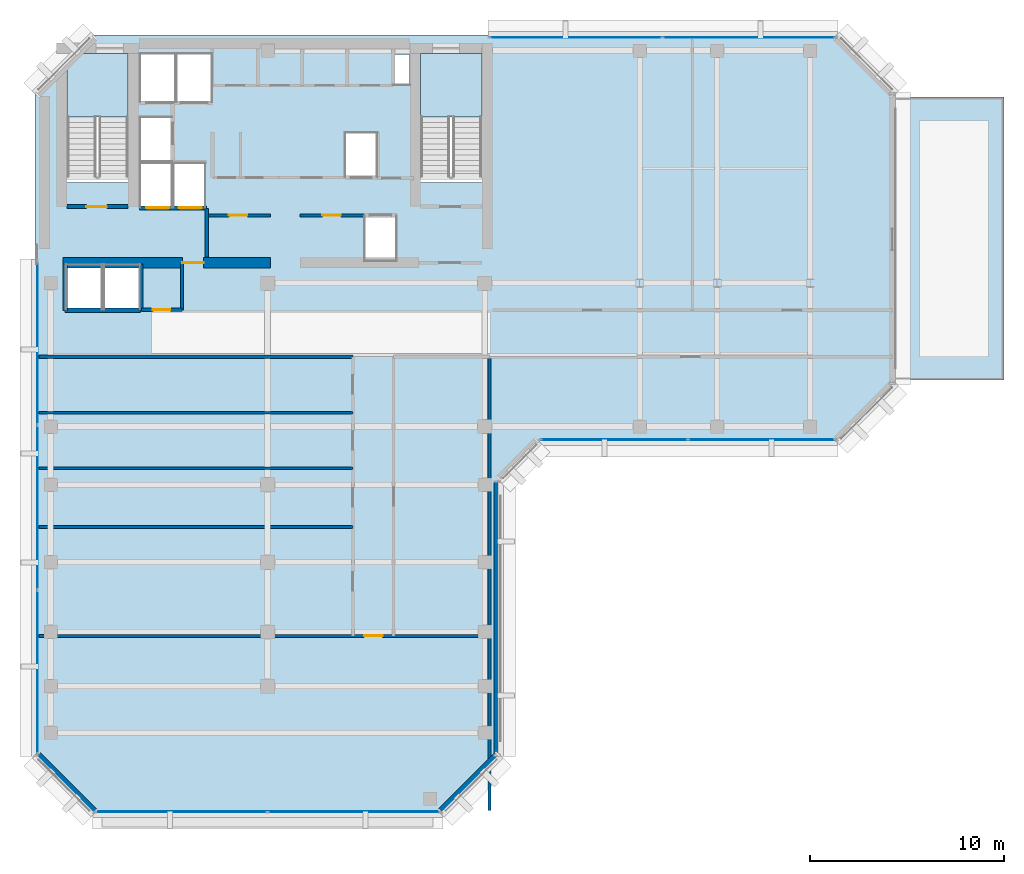
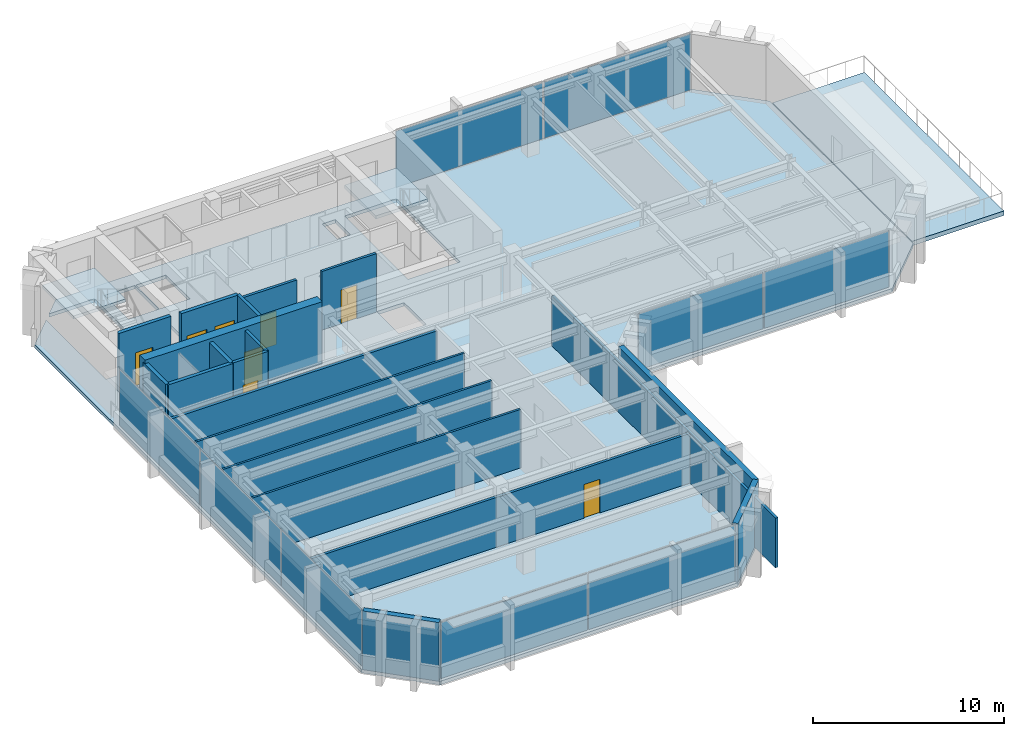
# One storey, part 5 of 11: 20 walls, 9 plates, 8 doors, 4 slabs, 8 openings, 6 elements without a shape of their own.
"""IFC4 building model written with IfcOpenShell, lengths in metres."""

from ifc_helpers import new_model, si_unit, direction, frame, frame_2d, origin, origin_2d, place, context, subcontext, project, spatial, polyline, rectangle, outline, extrude, material, layer, layer_set, type_object, element, fill, aggregate, save


model = new_model("IFC4")

# Units and contexts
model_context = context("Model", 3, precision=1e-05, world=origin(), true_north=direction((0.0, 1.0)))
body_context = subcontext(model_context, "Body", "Model", "MODEL_VIEW")
ifc_project = project(units=[si_unit("LENGTHUNIT", "METRE"), si_unit("AREAUNIT", "SQUARE_METRE"), si_unit("VOLUMEUNIT", "CUBIC_METRE"), si_unit("PLANEANGLEUNIT", "RADIAN"), si_unit("MASSUNIT", "GRAM", prefix="KILO")], contexts=[model_context])

# Site, building, storey
site_placement = place(None, origin())
site = spatial("IfcSite", under=ifc_project, at=site_placement, CompositionType="ELEMENT")
building_placement = place(site_placement, origin())
building = spatial("IfcBuilding", under=site, at=building_placement, Name="Kefirva Bronze Tower", CompositionType="ELEMENT")
storey_placement = place(building_placement, frame((0.0, 0.0, 272.25)))
storey = spatial("IfcBuildingStorey", under=building, at=storey_placement, Name="L66", CompositionType="ELEMENT", Elevation=272.25)

# Slab
ifc_material_1 = material(Name="Concrete C40/50", Category="concrete")
ifc_layer_1 = layer(ifc_material_1, 0.280029296875, Name="Concrete C40/50")
ifc_layer_set_1 = layer_set([ifc_layer_1], Name="Concrete C40/50")
slab_type_1 = type_object("IfcSlabType", Name="RC Setback Sky-Garden Terrace Slab 280mm", PredefinedType="ROOF", material=ifc_layer_set_1)
slab_1_placement = place(storey_placement, frame((0.0, 0.0, -0.280029296875)))
element("IfcSlab", 1, at=slab_1_placement, inside=storey, type_object=slab_type_1, Name="L66 Planted Sky-Garden Terrace Slab", PredefinedType="ROOF", context=body_context, shape_type="SweptSolid", body=[
    extrude(outline(polyline([(44.449951171875, 28.199951171875), (50.0, 28.199951171875), (50.0, 42.800048828125), (44.449951171875, 42.800048828125), (44.449951171875, 28.199951171875)])), origin(), (0.0, 0.0, 1.0), 0.280029296875),
])

# Stair, slab
stair_type = type_object("IfcStairType", Name="RC Dogleg Protected Stair 24R", PredefinedType="HALF_TURN_STAIR", material=ifc_material_1)
stair_1_placement = place(storey_placement, origin())
stair_1 = element("IfcStair", 2, at=stair_1_placement, inside=storey, type_object=stair_type, Name="L66 Protected Exit Stair 1", PredefinedType="HALF_TURN_STAIR")
ifc_layer_2 = layer(ifc_material_1, 0.199951171875, Name="Concrete C40/50")
ifc_layer_set_2 = layer_set([ifc_layer_2], Name="Concrete C40/50")
slab_type_2 = type_object("IfcSlabType", Name="RC Stair Landing Slab 200mm", PredefinedType="LANDING", material=ifc_layer_set_2)
slab_2_placement = place(storey_placement, frame((0.0, 0.0, 1.780029296875)))
slab_2 = element("IfcSlab", 3, at=slab_2_placement, type_object=slab_type_2, Name="ST-1 landing 1", PredefinedType="LANDING", context=body_context, shape_type="SweptSolid", body=[
    extrude(outline(polyline([(4.800048828125, 41.780029296875), (4.800048828125, 45.050048828125), (1.64990234375, 45.050048828125), (1.64990234375, 41.780029296875), (4.800048828125, 41.780029296875)])), origin(), (0.0, 0.0, 1.0), 0.199951171875),
])
aggregate(stair_1, [slab_2])

stair_2_placement = place(storey_placement, origin())
stair_2 = element("IfcStair", 4, at=stair_2_placement, inside=storey, type_object=stair_type, Name="L66 Protected Exit Stair 2", PredefinedType="HALF_TURN_STAIR")
slab_3_placement = place(storey_placement, frame((0.0, 0.0, 1.780029296875)))
slab_3 = element("IfcSlab", 5, at=slab_3_placement, type_object=slab_type_2, Name="ST-2 landing 1", PredefinedType="LANDING", context=body_context, shape_type="SweptSolid", body=[
    extrude(outline(polyline([(23.050048828125, 41.780029296875), (23.050048828125, 45.050048828125), (19.89990234375, 45.050048828125), (19.89990234375, 41.780029296875), (23.050048828125, 41.780029296875)])), origin(), (0.0, 0.0, 1.0), 0.199951171875),
])
aggregate(stair_2, [slab_3])

# Slab
ifc_layer_3 = layer(ifc_material_1, 0.219970703125, Name="Concrete C40/50")
ifc_layer_set_3 = layer_set([ifc_layer_3], Name="Concrete C40/50")
slab_type_3 = type_object("IfcSlabType", Name="RC Upper Floor Slab 220mm", PredefinedType="FLOOR", material=ifc_layer_set_3)
slab_4_placement = place(storey_placement, frame((0.0, 0.0, -0.219970703125)))
element("IfcSlab", 6, at=slab_4_placement, inside=storey, type_object=slab_type_3, Name="L66 Structural Floor Slab", PredefinedType="FLOOR", context=body_context, shape_type="SweptSolid", body=[
    extrude(outline(polyline([(0.0, 8.800048828125), (0.0, 43.0), (1.64990234375, 44.64990234375), (1.64990234375, 38.39990234375), (4.800048828125, 38.39990234375), (4.800048828125, 45.050048828125), (2.050048828125, 45.050048828125), (3.0, 46.0), (41.39990234375, 46.0), (44.39990234375, 43.0), (44.39990234375, 28.0), (41.39990234375, 25.0), (26.0, 25.0), (24.0, 23.0), (24.0, 8.800048828125), (21.0, 5.800048828125), (3.0, 5.800048828125), (0.0, 8.800048828125)]), holes=[polyline([(23.050048828125, 45.050048828125), (19.89990234375, 45.050048828125), (19.89990234375, 38.39990234375), (23.050048828125, 38.39990234375), (23.050048828125, 45.050048828125)]), polyline([(19.320068359375, 43.419921875), (19.320068359375, 45.0), (18.52001953125, 45.0), (18.52001953125, 43.419921875), (19.320068359375, 43.419921875)]), polyline([(18.64990234375, 36.64990234375), (17.0, 36.64990234375), (17.0, 34.35009765625), (18.64990234375, 34.35009765625), (18.64990234375, 36.64990234375)]), polyline([(17.64990234375, 38.679931640625), (17.64990234375, 40.97998046875), (16.0, 40.97998046875), (16.0, 38.679931640625), (17.64990234375, 38.679931640625)]), polyline([(9.1201171875, 42.550048828125), (9.1201171875, 45.050048828125), (7.300048828125, 45.050048828125), (7.300048828125, 42.550048828125), (9.1201171875, 42.550048828125)]), polyline([(8.780029296875, 37.10009765625), (8.780029296875, 39.39990234375), (7.139892578125, 39.39990234375), (7.139892578125, 37.10009765625), (8.780029296875, 37.10009765625)]), polyline([(7.239990234375, 42.550048828125), (7.239990234375, 45.050048828125), (5.419921875, 45.050048828125), (5.419921875, 42.550048828125), (7.239990234375, 42.550048828125)]), polyline([(7.06005859375, 37.10009765625), (7.06005859375, 39.39990234375), (5.419921875, 39.39990234375), (5.419921875, 37.10009765625), (7.06005859375, 37.10009765625)]), polyline([(7.06005859375, 41.780029296875), (5.419921875, 41.780029296875), (5.419921875, 39.47998046875), (7.06005859375, 39.47998046875), (7.06005859375, 41.780029296875)]), polyline([(5.39990234375, 31.85009765625), (5.39990234375, 34.14990234375), (3.550048828125, 34.14990234375), (3.550048828125, 31.85009765625), (5.39990234375, 31.85009765625)]), polyline([(3.449951171875, 34.14990234375), (1.60009765625, 34.14990234375), (1.60009765625, 31.85009765625), (3.449951171875, 31.85009765625), (3.449951171875, 34.14990234375)])]), origin(), (0.0, 0.0, 1.0), 0.219970703125),
])

# Curtain wall, plates
ifc_material_2 = material(Name="Bronze anodised aluminium", Category="aluminium")
ifc_layer_4 = layer(ifc_material_2, 0.179931640625, Name="Bronze anodised aluminium")
ifc_layer_set_4 = layer_set([ifc_layer_4], Name="Bronze anodised aluminium")
curtain_wall_type = type_object("IfcCurtainWallType", Name="Unitised Bronze Ribbon Curtain Wall Zone 4", PredefinedType="USERDEFINED", material=ifc_layer_set_4)
curtain_wall_1_placement = place(storey_placement, origin())
curtain_wall_1 = element("IfcCurtainWall", 7, at=curtain_wall_1_placement, inside=storey, type_object=curtain_wall_type, Name="L66 Curtain Wall 1", ObjectType="UNITISED CURTAIN WALL", PredefinedType="USERDEFINED")
ifc_material_3 = material(Name="Laminated low-E double glazing", Category="glass")
ifc_layer_5 = layer(ifc_material_3, 0.031982421875, Name="Laminated low-E double glazing")
ifc_layer_set_5 = layer_set([ifc_layer_5], Name="Laminated low-E double glazing")
plate_type = type_object("IfcPlateType", Name="Solar-Control Low-E Vision Panel 32mm", PredefinedType="CURTAIN_PANEL", material=ifc_layer_set_5)
plate_1_placement = place(storey_placement, frame((7.546142578125, 5.919921875, 0.0751953125), z_axis=(0.0, 0.0, 1.0), x_axis=(1.0, 0.0, 0.0)))
plate_1 = element("IfcPlate", 8, at=plate_1_placement, type_object=plate_type, Name="CW-04 panel 1.1", PredefinedType="CURTAIN_PANEL", context=body_context, shape_type="SweptSolid", body=[
    extrude(rectangle(XDim=8.83251953125, YDim=0.031982421875, at=origin_2d()), origin(), (0.0, 0.0, 1.0), 3.590087890625),
])
plate_2_placement = place(storey_placement, frame((16.453857421875, 5.919921875, 0.0751953125), z_axis=(0.0, 0.0, 1.0), x_axis=(1.0, 0.0, 0.0)))
plate_2 = element("IfcPlate", 9, at=plate_2_placement, type_object=plate_type, Name="CW-04 panel 2.1", PredefinedType="CURTAIN_PANEL", context=body_context, shape_type="SweptSolid", body=[
    extrude(rectangle(XDim=8.83251953125, YDim=0.031982421875, at=origin_2d()), origin(), (0.0, 0.0, 1.0), 3.590087890625),
])
aggregate(curtain_wall_1, [plate_1, plate_2])

curtain_wall_2_placement = place(storey_placement, origin())
curtain_wall_2 = element("IfcCurtainWall", 10, at=curtain_wall_2_placement, inside=storey, type_object=curtain_wall_type, Name="L66 Curtain Wall 2", ObjectType="UNITISED CURTAIN WALL", PredefinedType="USERDEFINED")
plate_3_placement = place(storey_placement, frame((29.896240234375, 25.1201171875, 0.0751953125), z_axis=(0.0, 0.0, 1.0), x_axis=(1.0, 0.0, 0.0)))
plate_3 = element("IfcPlate", 11, at=plate_3_placement, type_object=plate_type, Name="CW-04 panel 1.1", PredefinedType="CURTAIN_PANEL", context=body_context, shape_type="SweptSolid", body=[
    extrude(rectangle(XDim=7.532470703125, YDim=0.031982421875, at=origin_2d()), origin(), (0.0, 0.0, 1.0), 3.590087890625),
])
plate_4_placement = place(storey_placement, frame((37.503662109375, 25.1201171875, 0.0751953125), z_axis=(0.0, 0.0, 1.0), x_axis=(1.0, 0.0, 0.0)))
plate_4 = element("IfcPlate", 12, at=plate_4_placement, type_object=plate_type, Name="CW-04 panel 2.1", PredefinedType="CURTAIN_PANEL", context=body_context, shape_type="SweptSolid", body=[
    extrude(rectangle(XDim=7.532470703125, YDim=0.031982421875, at=origin_2d()), origin(), (0.0, 0.0, 1.0), 3.590087890625),
])
aggregate(curtain_wall_2, [plate_3, plate_4])

curtain_wall_3_placement = place(storey_placement, origin())
curtain_wall_3 = element("IfcCurtainWall", 13, at=curtain_wall_3_placement, inside=storey, type_object=curtain_wall_type, Name="L66 Curtain Wall 3", ObjectType="UNITISED CURTAIN WALL", PredefinedType="USERDEFINED")
plate_5_placement = place(storey_placement, frame((36.84130859375, 45.8798828125, 0.0751953125), z_axis=(0.0, 0.0, 1.0), x_axis=(-1.0, 0.0, 0.0)))
plate_5 = element("IfcPlate", 14, at=plate_5_placement, type_object=plate_type, Name="CW-04 panel 1.1", PredefinedType="CURTAIN_PANEL", context=body_context, shape_type="SweptSolid", body=[
    extrude(rectangle(XDim=8.857421875, YDim=0.031982421875, at=origin_2d()), origin(), (0.0, 0.0, 1.0), 3.590087890625),
])
plate_6_placement = place(storey_placement, frame((27.90869140625, 45.8798828125, 0.0751953125), z_axis=(0.0, 0.0, 1.0), x_axis=(-1.0, 0.0, 0.0)))
plate_6 = element("IfcPlate", 15, at=plate_6_placement, type_object=plate_type, Name="CW-04 panel 2.1", PredefinedType="CURTAIN_PANEL", context=body_context, shape_type="SweptSolid", body=[
    extrude(rectangle(XDim=8.857421875, YDim=0.031982421875, at=origin_2d()), origin(), (0.0, 0.0, 1.0), 3.590087890625),
])
aggregate(curtain_wall_3, [plate_5, plate_6])

curtain_wall_4_placement = place(storey_placement, origin())
curtain_wall_4 = element("IfcCurtainWall", 16, at=curtain_wall_4_placement, inside=storey, type_object=curtain_wall_type, Name="L66 Curtain Wall 4", ObjectType="UNITISED CURTAIN WALL", PredefinedType="USERDEFINED")
plate_7_placement = place(storey_placement, frame((0.1201171875, 30.11962890625, 0.0751953125), z_axis=(0.0, 0.0, 1.0), x_axis=(0.0, -1.0, 0.0)))
plate_7 = element("IfcPlate", 17, at=plate_7_placement, type_object=plate_type, Name="CW-04 panel 1.1", PredefinedType="CURTAIN_PANEL", context=body_context, shape_type="SweptSolid", body=[
    extrude(rectangle(XDim=8.40087890625, YDim=0.031982421875, at=origin_2d()), origin(), (0.0, 0.0, 1.0), 3.590087890625),
])
plate_8_placement = place(storey_placement, frame((0.1201171875, 21.625, 0.0751953125), z_axis=(0.0, 0.0, 1.0), x_axis=(0.0, -1.0, 0.0)))
plate_8 = element("IfcPlate", 18, at=plate_8_placement, type_object=plate_type, Name="CW-04 panel 2.1", PredefinedType="CURTAIN_PANEL", context=body_context, shape_type="SweptSolid", body=[
    extrude(rectangle(XDim=8.438232421875, YDim=0.031982421875, at=origin_2d()), origin(), (0.0, 0.0, 1.0), 3.590087890625),
])
plate_9_placement = place(storey_placement, frame((0.1201171875, 13.13037109375, 0.0751953125), z_axis=(0.0, 0.0, 1.0), x_axis=(0.0, -1.0, 0.0)))
plate_9 = element("IfcPlate", 19, at=plate_9_placement, type_object=plate_type, Name="CW-04 panel 3.1", PredefinedType="CURTAIN_PANEL", context=body_context, shape_type="SweptSolid", body=[
    extrude(rectangle(XDim=8.40087890625, YDim=0.031982421875, at=origin_2d()), origin(), (0.0, 0.0, 1.0), 3.590087890625),
])
aggregate(curtain_wall_4, [plate_7, plate_8, plate_9])

# Walls
ifc_material_4 = material(Name="Gypsum acoustic partition")
ifc_layer_6 = layer(ifc_material_4, 0.1298828125, Name="Gypsum acoustic partition")
ifc_layer_set_6 = layer_set([ifc_layer_6], Name="Gypsum acoustic partition")
wall_type_1 = type_object("IfcWallType", Name="Acoustic Office Partition 130mm", PredefinedType="PARTITIONING", material=ifc_layer_set_6)
for number, where, z_axis, x_axis, name in (
    (20, (0.18994140625, 20.615966796875, 0.0), (0.0, 0.0, 1.0), (1.0, 0.0, 0.0), "L66 Partition W-L66-SWD1"),
    (21, (0.18994140625, 23.639892578125, 0.0), (0.0, 0.0, 1.0), (1.0, 0.0, 0.0), "L66 Partition W-L66-SWD2"),
    (22, (0.18994140625, 26.52001953125, 0.0), (0.0, 0.0, 1.0), (1.0, 0.0, 0.0), "L66 Partition W-L66-SWD3"),
):
    element("IfcWall", number, at=place(storey_placement, frame(where, z_axis=z_axis, x_axis=x_axis)), inside=storey, type_object=wall_type_1, Name=name, PredefinedType="PARTITIONING", context=body_context, shape_type="SweptSolid", body=[
        extrude(rectangle(XDim=16.2099609375, YDim=0.1298828125, at=frame_2d((8.10498046875, 0.0))), origin(), (0.0, 0.0, 1.0), 3.739990234375),
    ])

# Wall, opening, door
ifc_layer_7 = layer(ifc_material_4, 0.14990234375, Name="Gypsum acoustic partition")
ifc_layer_set_7 = layer_set([ifc_layer_7], Name="Gypsum acoustic partition")
wall_type_2 = type_object("IfcWallType", Name="Executive Suite Partition 150mm", PredefinedType="PARTITIONING", material=ifc_layer_set_7)
wall_1_placement = place(storey_placement, frame((13.679931640625, 36.699951171875, 0.0), z_axis=(0.0, 0.0, 1.0), x_axis=(1.0, 0.0, 0.0)))
wall_1 = element("IfcWall", 23, at=wall_1_placement, inside=storey, type_object=wall_type_2, Name="L66 Partition W-L66-RECMP1", PredefinedType="PARTITIONING", context=body_context, shape_type="SweptSolid", body=[
    extrude(rectangle(XDim=3.280029296875, YDim=0.14990234375, at=frame_2d((1.64013671875, 0.0))), origin(), (0.0, 0.0, 1.0), 3.739990234375),
])
opening_1_placement = place(wall_1_placement, frame((1.14990234375, 0.0, 0.0)))
opening_1 = element("IfcOpeningElement", 24, at=opening_1_placement, cuts=wall_1, Name="Opening L66-D-RECMP1", PredefinedType="OPENING", context=body_context, shape_type="SweptSolid", body=[
    extrude(rectangle(XDim=0.949951171875, YDim=2.14990234375, at=frame_2d((0.47509765625, 1.074951171875))), frame((0.0, 0.0849609375, 0.0), z_axis=(0.0, -1.0, 0.0), x_axis=(1.0, 0.0, 0.0)), (0.0, 0.0, 1.0), 0.169921875),
])
ifc_material_5 = material(Name="Acoustic hardwood oak", Category="wood")
door_type_1 = type_object("IfcDoorType", Name="Office & Meeting Room Door 950x2150", OperationType="NOTDEFINED", PredefinedType="DOOR", material=ifc_material_5)
door_1_placement = place(opening_1_placement, origin())
door_1 = element("IfcDoor", 25, at=door_1_placement, inside=storey, type_object=door_type_1, Name="Door L66-D-RECMP1", OperationType="SINGLE_SWING_LEFT", OverallHeight=2.14990234375, OverallWidth=0.949951171875, PredefinedType="DOOR", context=body_context, shape_type="SweptSolid", body=[
    extrude(rectangle(XDim=0.949951171875, YDim=2.14990234375, at=frame_2d((0.47509765625, 1.074951171875))), frame((0.0, 0.02490234375, 0.0), z_axis=(0.0, -1.0, 0.0), x_axis=(1.0, 0.0, 0.0)), (0.0, 0.0, 1.0), 0.050048828125),
])
fill(opening_1, door_1)

ifc_material_6 = material(Name="Gypsum fireboard shaftwall")
ifc_layer_8 = layer(ifc_material_6, 0.219970703125, Name="Gypsum fireboard shaftwall")
ifc_layer_set_8 = layer_set([ifc_layer_8], Name="Gypsum fireboard shaftwall")
wall_type_3 = type_object("IfcWallType", Name="Fire-Rated Shaft Enclosure Wall 220mm", PredefinedType="PARTITIONING", material=ifc_layer_set_8)
wall_2_placement = place(storey_placement, frame((1.64990234375, 37.14990234375, 0.0), z_axis=(0.0, 0.0, 1.0), x_axis=(1.0, 0.0, 0.0)))
wall_2 = element("IfcWall", 26, at=wall_2_placement, inside=storey, type_object=wall_type_3, Name="L66 Partition W-L66-ST1S", PredefinedType="PARTITIONING", context=body_context, shape_type="SweptSolid", body=[
    extrude(rectangle(XDim=3.150146484375, YDim=0.219970703125, at=frame_2d((1.5751953125, 0.0))), origin(), (0.0, 0.0, 1.0), 3.739990234375),
])
opening_2_placement = place(wall_2_placement, frame((2.050048828125, 0.0, 0.0), z_axis=(0.0, 0.0, 1.0), x_axis=(-1.0, 0.0, 0.0)))
opening_2 = element("IfcOpeningElement", 27, at=opening_2_placement, cuts=wall_2, Name="Opening L66-D001", PredefinedType="OPENING", context=body_context, shape_type="SweptSolid", body=[
    extrude(rectangle(XDim=1.050048828125, YDim=2.14990234375, at=frame_2d((0.52490234375, 1.074951171875))), frame((0.0, 0.1201171875, 0.0), z_axis=(0.0, -1.0, 0.0), x_axis=(1.0, 0.0, 0.0)), (0.0, 0.0, 1.0), 0.239990234375),
])
ifc_material_7 = material(Name="Painted galvanized steel", Category="steel")
door_type_2 = type_object("IfcDoorType", Name="Fire Stair Enclosure Door 1050x2150 FD90S", OperationType="NOTDEFINED", PredefinedType="DOOR", material=ifc_material_7)
door_2_placement = place(opening_2_placement, origin())
door_2 = element("IfcDoor", 28, at=door_2_placement, inside=storey, type_object=door_type_2, Name="Door L66-D001", OperationType="SINGLE_SWING_RIGHT", OverallHeight=2.14990234375, OverallWidth=1.050048828125, PredefinedType="DOOR", context=body_context, shape_type="SweptSolid", body=[
    extrude(rectangle(XDim=1.050048828125, YDim=2.14990234375, at=frame_2d((0.52490234375, 1.074951171875))), frame((0.0, 0.02490234375, 0.0), z_axis=(0.0, -1.0, 0.0), x_axis=(1.0, 0.0, 0.0)), (0.0, 0.0, 1.0), 0.050048828125),
])
fill(opening_2, door_2)

# Wall, openings, doors
wall_3_placement = place(storey_placement, frame((5.3798828125, 37.080078125, 0.0), z_axis=(0.0, 0.0, 1.0), x_axis=(1.0, 0.0, 0.0)))
wall_3 = element("IfcWall", 29, at=wall_3_placement, inside=storey, type_object=wall_type_3, Name="L66 Partition W-L66-FFS", PredefinedType="PARTITIONING", context=body_context, shape_type="SweptSolid", body=[
    extrude(rectangle(XDim=3.460205078125, YDim=0.219970703125, at=frame_2d((1.72998046875, 0.0))), origin(), (0.0, 0.0, 1.0), 3.739990234375),
])
opening_3_placement = place(wall_3_placement, frame((1.550048828125, 0.0, 0.0), z_axis=(0.0, 0.0, 1.0), x_axis=(-1.0, 0.0, 0.0)))
opening_3 = element("IfcOpeningElement", 30, at=opening_3_placement, cuts=wall_3, Name="Opening L66-LD-FF1", PredefinedType="OPENING", context=body_context, shape_type="SweptSolid", body=[
    extrude(rectangle(XDim=1.199951171875, YDim=2.199951171875, at=frame_2d((0.60009765625, 1.10009765625))), frame((0.0, 0.1201171875, 0.0), z_axis=(0.0, -1.0, 0.0), x_axis=(1.0, 0.0, 0.0)), (0.0, 0.0, 1.0), 0.239990234375),
])
opening_4_placement = place(wall_3_placement, frame((3.219970703125, 0.0, 0.0), z_axis=(0.0, 0.0, 1.0), x_axis=(-1.0, 0.0, 0.0)))
opening_4 = element("IfcOpeningElement", 31, at=opening_4_placement, cuts=wall_3, Name="Opening L66-LD-FF2", PredefinedType="OPENING", context=body_context, shape_type="SweptSolid", body=[
    extrude(rectangle(XDim=1.199951171875, YDim=2.199951171875, at=frame_2d((0.60009765625, 1.10009765625))), frame((0.0, 0.1201171875, 0.0), z_axis=(0.0, -1.0, 0.0), x_axis=(1.0, 0.0, 0.0)), (0.0, 0.0, 1.0), 0.239990234375),
])
ifc_material_8 = material(Name="Stainless steel 316", Category="steel")
door_type_3 = type_object("IfcDoorType", Name="Firefighting Lift Sliding Door 1200x2200", OperationType="SLIDING_TO_RIGHT", PredefinedType="DOOR", material=ifc_material_8)
door_3_placement = place(opening_3_placement, origin())
door_3 = element("IfcDoor", 32, at=door_3_placement, inside=storey, type_object=door_type_3, Name="Door L66-LD-FF1", OperationType="SLIDING_TO_RIGHT", OverallHeight=2.199951171875, OverallWidth=1.199951171875, PredefinedType="DOOR", context=body_context, shape_type="SweptSolid", body=[
    extrude(rectangle(XDim=1.199951171875, YDim=2.199951171875, at=frame_2d((0.60009765625, 1.10009765625))), frame((0.0, 0.02490234375, 0.0), z_axis=(0.0, -1.0, 0.0), x_axis=(1.0, 0.0, 0.0)), (0.0, 0.0, 1.0), 0.050048828125),
])
fill(opening_3, door_3)
door_4_placement = place(opening_4_placement, origin())
door_4 = element("IfcDoor", 33, at=door_4_placement, inside=storey, type_object=door_type_3, Name="Door L66-LD-FF2", OperationType="SLIDING_TO_RIGHT", OverallHeight=2.199951171875, OverallWidth=1.199951171875, PredefinedType="DOOR", context=body_context, shape_type="SweptSolid", body=[
    extrude(rectangle(XDim=1.199951171875, YDim=2.199951171875, at=frame_2d((0.60009765625, 1.10009765625))), frame((0.0, 0.02490234375, 0.0), z_axis=(0.0, -1.0, 0.0), x_axis=(1.0, 0.0, 0.0)), (0.0, 0.0, 1.0), 0.050048828125),
])
fill(opening_4, door_4)

# Walls
wall_4_placement = place(storey_placement, frame((1.550048828125, 31.800048828125, 0.0), z_axis=(0.0, 0.0, 1.0), x_axis=(1.0, 0.0, 0.0)))
element("IfcWall", 34, at=wall_4_placement, inside=storey, type_object=wall_type_3, Name="L66 Partition W-L66-OBS", PredefinedType="PARTITIONING", context=body_context, shape_type="SweptSolid", body=[
    extrude(rectangle(XDim=3.89990234375, YDim=0.219970703125, at=frame_2d((1.949951171875, 0.0))), origin(), (0.0, 0.0, 1.0), 3.739990234375),
])
for number, where, z_axis, x_axis, name in (
    (35, (1.550048828125, 31.800048828125, 0.0), (0.0, 0.0, 1.0), (0.0, 1.0, 0.0), "L66 Partition W-L66-OBW"),
    (36, (5.449951171875, 31.800048828125, 0.0), (0.0, 0.0, 1.0), (0.0, 1.0, 0.0), "L66 Partition W-L66-OBE"),
):
    element("IfcWall", number, at=place(storey_placement, frame(where, z_axis=z_axis, x_axis=x_axis)), inside=storey, type_object=wall_type_3, Name=name, PredefinedType="PARTITIONING", context=body_context, shape_type="SweptSolid", body=[
        extrude(rectangle(XDim=2.3798828125, YDim=0.219970703125, at=frame_2d((1.18994140625, 0.0))), origin(), (0.0, 0.0, 1.0), 3.739990234375),
    ])
ifc_material_9 = material(Name="Gypsum fireboard barrier")
ifc_layer_9 = layer(ifc_material_9, 0.199951171875, Name="Gypsum fireboard barrier")
ifc_layer_set_9 = layer_set([ifc_layer_9], Name="Gypsum fireboard barrier")
wall_type_4 = type_object("IfcWallType", Name="Firefighting Lobby Barrier Wall 200mm", PredefinedType="PARTITIONING", material=ifc_layer_set_9)
wall_5_placement = place(storey_placement, frame((8.860107421875, 34.550048828125, 0.0), z_axis=(0.0, 0.0, 1.0), x_axis=(0.0, 1.0, 0.0)))
element("IfcWall", 37, at=wall_5_placement, inside=storey, type_object=wall_type_4, Name="L66 Partition W-L66-FFLE", PredefinedType="PARTITIONING", context=body_context, shape_type="SweptSolid", body=[
    extrude(rectangle(XDim=2.5, YDim=0.199951171875, at=frame_2d((1.25, 0.0))), origin(), (0.0, 0.0, 1.0), 3.739990234375),
])
ifc_material_10 = material(Name="Precast concrete C40/50", Category="concrete")
ifc_layer_10 = layer(ifc_material_10, 0.320068359375, Name="Precast concrete C40/50")
ifc_layer_set_10 = layer_set([ifc_layer_10], Name="Precast concrete C40/50")
wall_type_5 = type_object("IfcWallType", Name="Precast Insulated Exterior Wall 320mm", PredefinedType="SOLIDWALL", material=ifc_layer_set_10)
wall_6_placement = place(storey_placement, frame((20.92578125, 5.951904296875, 0.0), z_axis=(0.0, 0.0, 1.0), x_axis=(0.707077242712, 0.707136318428, 0.0)))
element("IfcWall", 38, at=wall_6_placement, inside=storey, type_object=wall_type_5, Name="L66 Exterior Facade Wall 1", PredefinedType="SOLIDWALL", context=body_context, shape_type="SweptSolid", body=[
    extrude(rectangle(XDim=4.132568359375, YDim=0.320068359375, at=frame_2d((2.06640625, 0.0))), origin(), (0.0, 0.0, 1.0), 3.739990234375),
])
wall_7_placement = place(storey_placement, frame((23.840087890625, 8.85498046875, 0.0), z_axis=(0.0, 0.0, 1.0), x_axis=(0.0, 1.0, 0.0)))
element("IfcWall", 39, at=wall_7_placement, inside=storey, type_object=wall_type_5, Name="L66 Exterior Facade Wall 2", PredefinedType="SOLIDWALL", context=body_context, shape_type="SweptSolid", body=[
    extrude(rectangle(XDim=14.090087890625, YDim=0.320068359375, at=frame_2d((7.044921875, 0.0))), origin(), (0.0, 0.0, 1.0), 3.739990234375),
])
wall_8_placement = place(storey_placement, frame((0.152099609375, 8.874267578125, 0.0), z_axis=(0.0, 0.0, 1.0), x_axis=(0.707077242712, -0.707136318428, 0.0)))
element("IfcWall", 40, at=wall_8_placement, inside=storey, type_object=wall_type_5, Name="L66 Exterior Facade Wall 8", PredefinedType="SOLIDWALL", context=body_context, shape_type="SweptSolid", body=[
    extrude(rectangle(XDim=4.132568359375, YDim=0.320068359375, at=frame_2d((2.06640625, 0.0))), origin(), (0.0, 0.0, 1.0), 3.739990234375),
])

# Wall, opening, door
ifc_layer_11 = layer(ifc_material_4, 0.159912109375, Name="Gypsum acoustic partition")
ifc_layer_set_11 = layer_set([ifc_layer_11], Name="Gypsum acoustic partition")
wall_type_6 = type_object("IfcWallType", Name="Protected Corridor Partition 160mm", PredefinedType="PARTITIONING", material=ifc_layer_set_11)
wall_9_placement = place(storey_placement, frame((8.89990234375, 36.699951171875, 0.0), z_axis=(0.0, 0.0, 1.0), x_axis=(1.0, 0.0, 0.0)))
wall_9 = element("IfcWall", 41, at=wall_9_placement, inside=storey, type_object=wall_type_6, Name="L66 Partition W-L66-RECLP1", PredefinedType="PARTITIONING", context=body_context, shape_type="SweptSolid", body=[
    extrude(rectangle(XDim=3.25, YDim=0.159912109375, at=frame_2d((1.625, 0.0))), origin(), (0.0, 0.0, 1.0), 3.739990234375),
])
opening_5_placement = place(wall_9_placement, frame((1.10009765625, 0.0, 0.0)))
opening_5 = element("IfcOpeningElement", 42, at=opening_5_placement, cuts=wall_9, Name="Opening L66-D-RECLP1", PredefinedType="OPENING", context=body_context, shape_type="SweptSolid", body=[
    extrude(rectangle(XDim=0.949951171875, YDim=2.14990234375, at=frame_2d((0.47509765625, 1.074951171875))), frame((0.0, 0.08984375, 0.0), z_axis=(0.0, -1.0, 0.0), x_axis=(1.0, 0.0, 0.0)), (0.0, 0.0, 1.0), 0.179931640625),
])
door_5_placement = place(opening_5_placement, origin())
door_5 = element("IfcDoor", 43, at=door_5_placement, inside=storey, type_object=door_type_1, Name="Door L66-D-RECLP1", OperationType="SINGLE_SWING_RIGHT", OverallHeight=2.14990234375, OverallWidth=0.949951171875, PredefinedType="DOOR", context=body_context, shape_type="SweptSolid", body=[
    extrude(rectangle(XDim=0.949951171875, YDim=2.14990234375, at=frame_2d((0.47509765625, 1.074951171875))), frame((0.0, 0.02490234375, 0.0), z_axis=(0.0, -1.0, 0.0), x_axis=(1.0, 0.0, 0.0)), (0.0, 0.0, 1.0), 0.050048828125),
])
fill(opening_5, door_5)

wall_10_placement = place(storey_placement, frame((0.18994140625, 15.0, 0.0), z_axis=(0.0, 0.0, 1.0), x_axis=(1.0, 0.0, 0.0)))
wall_10 = element("IfcWall", 44, at=wall_10_placement, inside=storey, type_object=wall_type_6, Name="L66 Partition W-L66-SBEND", PredefinedType="PARTITIONING", context=body_context, shape_type="SweptSolid", body=[
    extrude(rectangle(XDim=23.260009765625, YDim=0.159912109375, at=frame_2d((11.6298828125, 0.0))), origin(), (0.0, 0.0, 1.0), 3.175048828125),
])
opening_6_placement = place(wall_10_placement, frame((16.7900390625, 0.0, 0.0)))
opening_6 = element("IfcOpeningElement", 45, at=opening_6_placement, cuts=wall_10, Name="Opening L66-D-SEND1", PredefinedType="OPENING", context=body_context, shape_type="SweptSolid", body=[
    extrude(rectangle(XDim=0.949951171875, YDim=2.14990234375, at=frame_2d((0.47509765625, 1.074951171875))), frame((0.0, 0.08984375, 0.0), z_axis=(0.0, -1.0, 0.0), x_axis=(1.0, 0.0, 0.0)), (0.0, 0.0, 1.0), 0.179931640625),
])
door_6_placement = place(opening_6_placement, origin())
door_6 = element("IfcDoor", 46, at=door_6_placement, inside=storey, type_object=door_type_1, Name="Door L66-D-SEND1", OperationType="SINGLE_SWING_LEFT", OverallHeight=2.14990234375, OverallWidth=0.949951171875, PredefinedType="DOOR", context=body_context, shape_type="SweptSolid", body=[
    extrude(rectangle(XDim=0.949951171875, YDim=2.14990234375, at=frame_2d((0.47509765625, 1.074951171875))), frame((0.0, 0.02490234375, 0.0), z_axis=(0.0, -1.0, 0.0), x_axis=(1.0, 0.0, 0.0)), (0.0, 0.0, 1.0), 0.050048828125),
])
fill(opening_6, door_6)

# Walls
wall_11_placement = place(storey_placement, frame((0.18994140625, 29.39990234375, 0.0), z_axis=(0.0, 0.0, 1.0), x_axis=(1.0, 0.0, 0.0)))
element("IfcWall", 47, at=wall_11_placement, inside=storey, type_object=wall_type_6, Name="L66 Partition W-L66-NWT", PredefinedType="PARTITIONING", context=body_context, shape_type="SweptSolid", body=[
    extrude(rectangle(XDim=16.2099609375, YDim=0.159912109375, at=frame_2d((8.10498046875, 0.0))), origin(), (0.0, 0.0, 1.0), 3.425048828125),
])
wall_12_placement = place(storey_placement, frame((23.449951171875, 5.989990234375, 0.0), z_axis=(0.0, 0.0, 1.0), x_axis=(0.0, 1.0, 0.0)))
element("IfcWall", 48, at=wall_12_placement, inside=storey, type_object=wall_type_6, Name="L66 Partition W-L66-SWEAST", PredefinedType="PARTITIONING", context=body_context, shape_type="SweptSolid", body=[
    extrude(rectangle(XDim=23.409912109375, YDim=0.159912109375, at=frame_2d((11.705078125, 0.0))), origin(), (0.0, 0.0, 1.0), 3.175048828125),
])

# Wall, opening, door
ifc_material_11 = material(Name="Concrete C50/60", Category="concrete")
ifc_layer_12 = layer(ifc_material_11, 0.550048828125, Name="Concrete C50/60")
ifc_layer_set_12 = layer_set([ifc_layer_12], Name="Concrete C50/60")
wall_type_7 = type_object("IfcWallType", Name="RC Rear Core Interior Wall 550mm", PredefinedType="SHEAR", material=ifc_layer_set_12)
wall_13_placement = place(storey_placement, frame((1.449951171875, 34.25, 0.0), z_axis=(0.0, 0.0, 1.0), x_axis=(1.0, 0.0, 0.0)))
wall_13 = element("IfcWall", 49, at=wall_13_placement, inside=storey, type_object=wall_type_7, Name="L66 Rear Core South-West Shear Wall", PredefinedType="SHEAR", context=body_context, shape_type="SweptSolid", body=[
    extrude(rectangle(XDim=10.7099609375, YDim=0.550048828125, at=frame_2d((5.35498046875, 0.0))), origin(), (0.0, 0.0, 1.0), 3.9599609375),
])
opening_7_placement = place(wall_13_placement, frame((7.25, 0.0, 0.0), z_axis=(0.0, 0.0, 1.0), x_axis=(-1.0, 0.0, 0.0)))
opening_7 = element("IfcOpeningElement", 50, at=opening_7_placement, cuts=wall_13, Name="Opening L66-D002", PredefinedType="OPENING", context=body_context, shape_type="SweptSolid", body=[
    extrude(rectangle(XDim=1.10009765625, YDim=2.14990234375, at=frame_2d((0.550048828125, 1.074951171875))), frame((0.0, 0.28515625, 0.0), z_axis=(0.0, -1.0, 0.0), x_axis=(1.0, 0.0, 0.0)), (0.0, 0.0, 1.0), 0.570068359375),
])
door_type_4 = type_object("IfcDoorType", Name="Firefighting Lobby Smoke Door 1100x2150 FD60S", OperationType="NOTDEFINED", PredefinedType="DOOR", material=ifc_material_7)
door_7_placement = place(opening_7_placement, origin())
door_7 = element("IfcDoor", 51, at=door_7_placement, inside=storey, type_object=door_type_4, Name="Door L66-D002", OperationType="SINGLE_SWING_LEFT", OverallHeight=2.14990234375, OverallWidth=1.10009765625, PredefinedType="DOOR", context=body_context, shape_type="SweptSolid", body=[
    extrude(rectangle(XDim=1.10009765625, YDim=2.14990234375, at=frame_2d((0.550048828125, 1.074951171875))), frame((0.0, 0.02490234375, 0.0), z_axis=(0.0, -1.0, 0.0), x_axis=(1.0, 0.0, 0.0)), (0.0, 0.0, 1.0), 0.050048828125),
])
fill(opening_7, door_7)

ifc_material_12 = material(Name="Moisture-resistant partition")
ifc_layer_13 = layer(ifc_material_12, 0.179931640625, Name="Moisture-resistant partition")
ifc_layer_set_13 = layer_set([ifc_layer_13], Name="Moisture-resistant partition")
wall_type_8 = type_object("IfcWallType", Name="Sanitary Plumbing Chase Wall 180mm", PredefinedType="PLUMBINGWALL", material=ifc_layer_set_13)
wall_14_placement = place(storey_placement, frame((5.5, 31.820068359375, 0.0), z_axis=(0.0, 0.0, 1.0), x_axis=(1.0, 0.0, 0.0)))
wall_14 = element("IfcWall", 52, at=wall_14_placement, inside=storey, type_object=wall_type_8, Name="L66 Partition W-L66-TCS", PredefinedType="PLUMBINGWALL", context=body_context, shape_type="SweptSolid", body=[
    extrude(rectangle(XDim=2.080078125, YDim=0.179931640625, at=frame_2d((1.0400390625, 0.0))), origin(), (0.0, 0.0, 1.0), 3.739990234375),
])
opening_8_placement = place(wall_14_placement, frame((1.47998046875, 0.0, 0.0), z_axis=(0.0, 0.0, 1.0), x_axis=(-1.0, 0.0, 0.0)))
opening_8 = element("IfcOpeningElement", 53, at=opening_8_placement, cuts=wall_14, Name="Opening L66-D-TCL1", PredefinedType="OPENING", context=body_context, shape_type="SweptSolid", body=[
    extrude(rectangle(XDim=0.89990234375, YDim=2.10009765625, at=frame_2d((0.449951171875, 1.050048828125))), frame((0.0, 0.10009765625, 0.0), z_axis=(0.0, -1.0, 0.0), x_axis=(1.0, 0.0, 0.0)), (0.0, 0.0, 1.0), 0.199951171875),
])
door_type_5 = type_object("IfcDoorType", Name="Telecom & Meter Fire Door 900x2100 FD60S", OperationType="NOTDEFINED", PredefinedType="DOOR", material=ifc_material_7)
door_8_placement = place(opening_8_placement, origin())
door_8 = element("IfcDoor", 54, at=door_8_placement, inside=storey, type_object=door_type_5, Name="Door L66-D-TCL1", OperationType="SINGLE_SWING_LEFT", OverallHeight=2.10009765625, OverallWidth=0.89990234375, PredefinedType="DOOR", context=body_context, shape_type="SweptSolid", body=[
    extrude(rectangle(XDim=0.89990234375, YDim=2.10009765625, at=frame_2d((0.449951171875, 1.050048828125))), frame((0.0, 0.02490234375, 0.0), z_axis=(0.0, -1.0, 0.0), x_axis=(1.0, 0.0, 0.0)), (0.0, 0.0, 1.0), 0.050048828125),
])
fill(opening_8, door_8)

# Wall
wall_15_placement = place(storey_placement, frame((7.580078125, 31.820068359375, 0.0), z_axis=(0.0, 0.0, 1.0), x_axis=(0.0, 1.0, 0.0)))
element("IfcWall", 55, at=wall_15_placement, inside=storey, type_object=wall_type_8, Name="L66 Partition W-L66-TCE", PredefinedType="PLUMBINGWALL", context=body_context, shape_type="SweptSolid", body=[
    extrude(rectangle(XDim=2.35986328125, YDim=0.179931640625, at=frame_2d((1.179931640625, 0.0))), origin(), (0.0, 0.0, 1.0), 3.739990234375),
])

save(model, "model.ifc")
